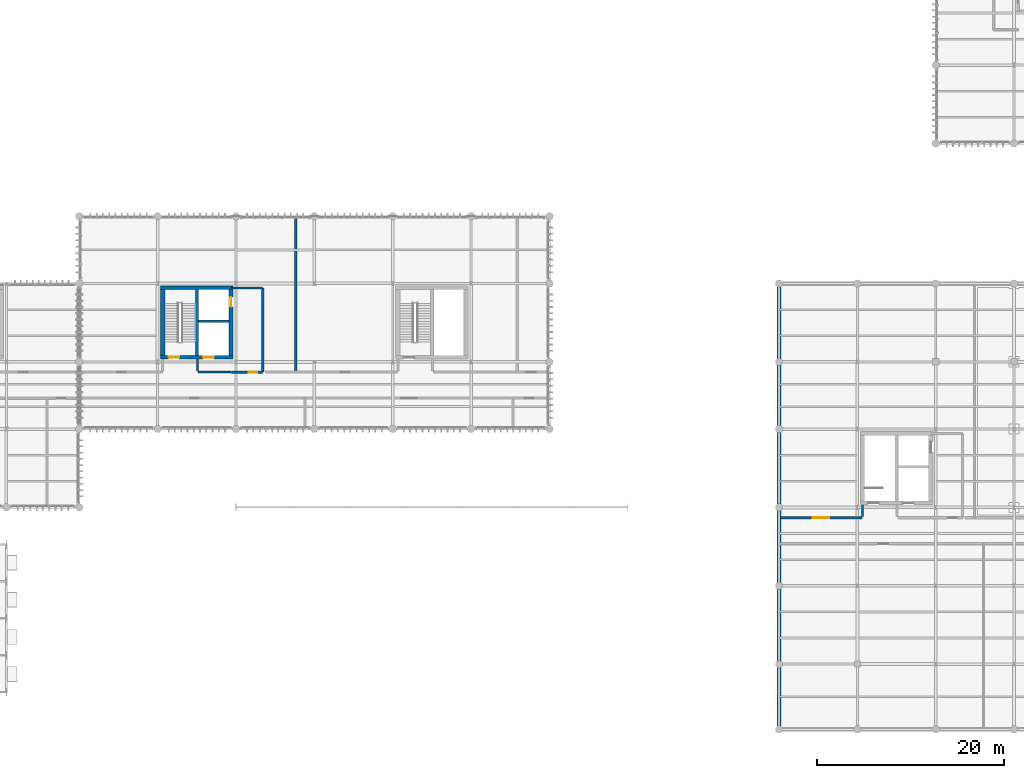
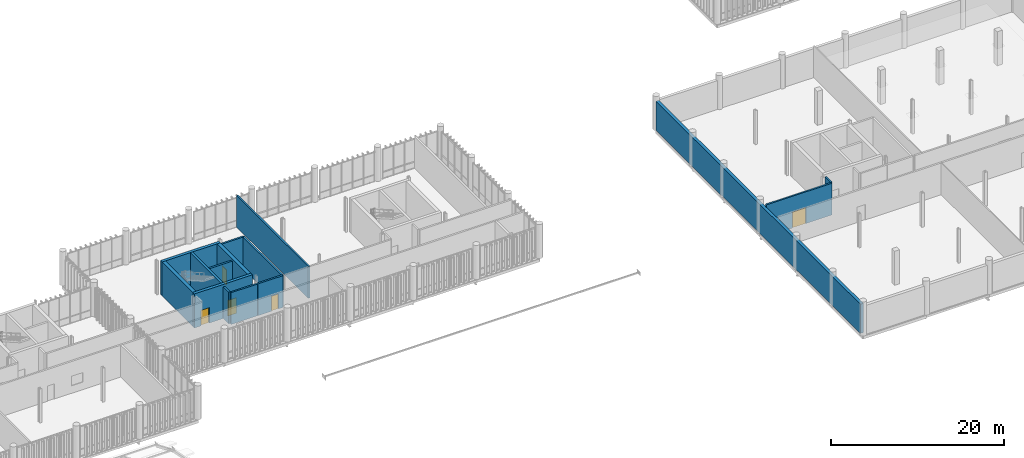
# One storey, part 79 of 94: 15 walls, 5 doors, 5 openings.
"""IFC4 building model written with IfcOpenShell, lengths in metres."""

from ifc_helpers import new_model, si_unit, direction, frame, frame_2d, origin_with_axes, place, context, subcontext, project, spatial, rectangle, extrude, material, layer, layer_set, type_object, element, fill, save


model = new_model("IFC4")

# Units and contexts
model_context = context("Model", 3, precision=1e-05, world=origin_with_axes(), true_north=direction((0.0, 1.0)))
body_context = subcontext(model_context, "Body", "Model", "MODEL_VIEW")
ifc_project = project(units=[si_unit("LENGTHUNIT", "METRE"), si_unit("AREAUNIT", "SQUARE_METRE"), si_unit("VOLUMEUNIT", "CUBIC_METRE"), si_unit("PLANEANGLEUNIT", "RADIAN"), si_unit("MASSUNIT", "GRAM", prefix="KILO"), si_unit("THERMODYNAMICTEMPERATUREUNIT", "KELVIN")], contexts=[model_context])

# Site, building, storey
site_placement = place(None, origin_with_axes())
site = spatial("IfcSite", under=ifc_project, at=site_placement, CompositionType="ELEMENT")
building_placement = place(site_placement, origin_with_axes())
building = spatial("IfcBuilding", under=site, at=building_placement, Name="Montbau Bow Law Courts", CompositionType="ELEMENT")
storey_placement = place(building_placement, frame((0.0, 0.0, 15.6), z_axis=(0.0, 0.0, 1.0), x_axis=(1.0, 0.0, 0.0)))
storey = spatial("IfcBuildingStorey", under=building, at=storey_placement, Name="L03", CompositionType="ELEMENT", Elevation=15.6)

# Wall, opening, door
ifc_material_1 = material(Name="Concrete CSA A23.1 f'c 45 MPa", Category="concrete")
ifc_layer_1 = layer(ifc_material_1, 0.45, Name="Shear Wall", Category="concrete")
ifc_layer_set_1 = layer_set([ifc_layer_1], Name="Concrete CSA A23.1 f'c 45 MPa")
wall_type_1 = type_object("IfcWallType", Name="W-COR-02", PredefinedType="SHEAR", material=ifc_layer_set_1)
wall_1_placement = place(None, frame((63.06, 46.87, 15.6), z_axis=(0.0, 0.0, 1.0), x_axis=(0.0, 1.0, 0.0)))
wall_1 = element("IfcWall", 1, at=wall_1_placement, inside=storey, type_object=wall_type_1, Name="WC-L03-0171:wal_0238", PredefinedType="SHEAR", context=body_context, shape_type="SweptSolid", body=[
    extrude(rectangle(XDim=7.060000000000002, YDim=0.45, at=frame_2d((3.53, 0.0), x_axis=(1.0, 0.0))), origin_with_axes(), (0.0, 0.0, 1.0), 4.8),
])
opening_1_placement = place(None, frame((63.06, 52.61, 15.6), z_axis=(0.0, 0.0, 1.0), x_axis=(0.0, 1.0, 0.0)))
opening_1 = element("IfcOpeningElement", 2, at=opening_1_placement, cuts=wall_1, Name="OP-LD-L03-EL-J3", PredefinedType="OPENING", context=body_context, shape_type="SweptSolid", body=[
    extrude(rectangle(XDim=1.06, YDim=2.16, at=frame_2d((0.0, 1.08), x_axis=(1.0, 0.0))), frame((0.0, 0.235, 0.0), z_axis=(0.0, -1.0, 0.0), x_axis=(1.0, 0.0, 0.0)), (0.0, 0.0, 1.0), 0.47),
])
ifc_material_2 = material(Name="Bronze-Clad Judicial Elevator Landing Door", Category="steel")
door_type_1 = type_object("IfcDoorType", Name="LD-JUD-01", OperationType="NOTDEFINED", ParameterTakesPrecedence=False, PredefinedType="DOOR", material=ifc_material_2)
door_1_placement = place(None, frame((63.06, 52.61, 15.6), z_axis=(0.0, 0.0, 1.0), x_axis=(0.0, 1.0, 0.0)))
door_1 = element("IfcDoor", 3, at=door_1_placement, inside=storey, type_object=door_type_1, Name="LD-L03-EL-J3:dor_0107", OperationType="SLIDING_TO_LEFT", OverallHeight=2.16, OverallWidth=1.06, PredefinedType="DOOR", context=body_context, shape_type="SweptSolid", body=[
    extrude(rectangle(XDim=1.06, YDim=2.16, at=frame_2d((0.0, 1.08), x_axis=(1.0, 0.0))), frame((0.0, 0.04, 0.0), z_axis=(0.0, -1.0, 0.0), x_axis=(1.0, 0.0, 0.0)), (0.0, 0.0, 1.0), 0.08),
])
fill(opening_1, door_1)

# Wall
wall_2_placement = place(None, frame((55.74, 53.93, 15.6), z_axis=(0.0, 0.0, 1.0), x_axis=(0.0, -1.0, 0.0)))
element("IfcWall", 4, at=wall_2_placement, inside=storey, type_object=wall_type_1, Name="WC-L03-0172:wal_0239", PredefinedType="SHEAR", context=body_context, shape_type="SweptSolid", body=[
    extrude(rectangle(XDim=7.060000000000002, YDim=0.45, at=frame_2d((3.53, 0.0), x_axis=(1.0, 0.0))), origin_with_axes(), (0.0, 0.0, 1.0), 4.8),
])

# Wall, openings, doors
ifc_layer_2 = layer(ifc_material_1, 0.38, Name="Shear Wall", Category="concrete")
ifc_layer_set_2 = layer_set([ifc_layer_2], Name="Concrete CSA A23.1 f'c 45 MPa")
wall_type_2 = type_object("IfcWallType", Name="W-COR-04", PredefinedType="SHEAR", material=ifc_layer_set_2)
wall_3_placement = place(None, frame((55.515, 46.68, 15.6), z_axis=(0.0, 0.0, 1.0), x_axis=(1.0, 0.0, 0.0)))
wall_3 = element("IfcWall", 5, at=wall_3_placement, inside=storey, type_object=wall_type_2, Name="WC-L03-0169:wal_0236", PredefinedType="SHEAR", context=body_context, shape_type="SweptSolid", body=[
    extrude(rectangle(XDim=7.769999999999996, YDim=0.38, at=frame_2d((3.885, 0.0), x_axis=(1.0, 0.0))), origin_with_axes(), (0.0, 0.0, 1.0), 4.8),
])
opening_2_placement = place(None, frame((56.935, 46.68, 15.6), z_axis=(0.0, 0.0, 1.0), x_axis=(1.0, 0.0, 0.0)))
opening_2 = element("IfcOpeningElement", 6, at=opening_2_placement, cuts=wall_3, Name="OP-D-L03-ST-P4", PredefinedType="OPENING", context=body_context, shape_type="SweptSolid", body=[
    extrude(rectangle(XDim=1.14, YDim=2.18, at=frame_2d((0.0, 1.09), x_axis=(1.0, 0.0))), frame((0.0, 0.2, 0.0), z_axis=(0.0, -1.0, 0.0), x_axis=(1.0, 0.0, 0.0)), (0.0, 0.0, 1.0), 0.4),
])
opening_3_placement = place(None, frame((60.65, 46.68, 15.6), z_axis=(0.0, 0.0, 1.0), x_axis=(1.0, 0.0, 0.0)))
opening_3 = element("IfcOpeningElement", 7, at=opening_3_placement, cuts=wall_3, Name="OP-LD-L03-EL-P3", PredefinedType="OPENING", context=body_context, shape_type="SweptSolid", body=[
    extrude(rectangle(XDim=1.16, YDim=2.2, at=frame_2d((0.0, 1.1), x_axis=(1.0, 0.0))), frame((0.0, 0.2, 0.0), z_axis=(0.0, -1.0, 0.0), x_axis=(1.0, 0.0, 0.0)), (0.0, 0.0, 1.0), 0.4),
])
ifc_material_3 = material(Name="1.5 h Fire-Rated Hollow-Metal Exit Stair Door", Category="steel")
door_type_2 = type_object("IfcDoorType", Name="D-ST-01", OperationType="NOTDEFINED", ParameterTakesPrecedence=False, PredefinedType="DOOR", material=ifc_material_3)
door_2_placement = place(None, frame((56.935, 46.68, 15.6), z_axis=(0.0, 0.0, 1.0), x_axis=(-1.0, 0.0, 0.0)))
door_2 = element("IfcDoor", 8, at=door_2_placement, inside=storey, type_object=door_type_2, Name="D-L03-ST-P4:dor_0105", OperationType="SINGLE_SWING_RIGHT", OverallHeight=2.18, OverallWidth=1.14, PredefinedType="DOOR", context=body_context, shape_type="SweptSolid", body=[
    extrude(rectangle(XDim=1.14, YDim=2.18, at=frame_2d((0.0, 1.09), x_axis=(1.0, 0.0))), frame((0.0, 0.04, 0.0), z_axis=(0.0, -1.0, 0.0), x_axis=(1.0, 0.0, 0.0)), (0.0, 0.0, 1.0), 0.08),
])
fill(opening_2, door_2)
ifc_material_4 = material(Name="Brushed Stainless Steel Elevator Landing Door", Category="steel")
door_type_3 = type_object("IfcDoorType", Name="LD-PUB-01", OperationType="NOTDEFINED", ParameterTakesPrecedence=False, PredefinedType="DOOR", material=ifc_material_4)
door_3_placement = place(None, frame((60.65, 46.68, 15.6), z_axis=(0.0, 0.0, 1.0), x_axis=(-1.0, 0.0, 0.0)))
door_3 = element("IfcDoor", 9, at=door_3_placement, inside=storey, type_object=door_type_3, Name="LD-L03-EL-P3:dor_0106", OperationType="SLIDING_TO_LEFT", OverallHeight=2.2, OverallWidth=1.16, PredefinedType="DOOR", context=body_context, shape_type="SweptSolid", body=[
    extrude(rectangle(XDim=1.16, YDim=2.2, at=frame_2d((0.0, 1.1), x_axis=(1.0, 0.0))), frame((0.0, 0.04, 0.0), z_axis=(0.0, -1.0, 0.0), x_axis=(1.0, 0.0, 0.0)), (0.0, 0.0, 1.0), 0.08),
])
fill(opening_3, door_3)

# Walls
wall_4_placement = place(None, frame((63.285, 54.12, 15.6), z_axis=(0.0, 0.0, 1.0), x_axis=(-1.0, 0.0, 0.0)))
element("IfcWall", 10, at=wall_4_placement, inside=storey, type_object=wall_type_2, Name="WC-L03-0170:wal_0237", PredefinedType="SHEAR", context=body_context, shape_type="SweptSolid", body=[
    extrude(rectangle(XDim=7.769999999999996, YDim=0.38, at=frame_2d((3.885, 0.0), x_axis=(1.0, 0.0))), origin_with_axes(), (0.0, 0.0, 1.0), 4.8),
])
ifc_layer_3 = layer(ifc_material_1, 0.32, Name="Shear Wall", Category="concrete")
ifc_layer_set_3 = layer_set([ifc_layer_3], Name="Concrete CSA A23.1 f'c 45 MPa")
wall_type_3 = type_object("IfcWallType", Name="W-COR-05", PredefinedType="SHEAR", material=ifc_layer_set_3)
wall_5_placement = place(None, frame((59.42, 46.87, 15.6), z_axis=(0.0, 0.0, 1.0), x_axis=(0.0, 1.0, 0.0)))
element("IfcWall", 11, at=wall_5_placement, inside=storey, type_object=wall_type_3, Name="WS-L03-0173:wal_0240", PredefinedType="SHEAR", context=body_context, shape_type="SweptSolid", body=[
    extrude(rectangle(XDim=7.060000000000002, YDim=0.32, at=frame_2d((3.53, 0.0), x_axis=(1.0, 0.0))), origin_with_axes(), (0.0, 0.0, 1.0), 4.8),
])
ifc_material_5 = material(Name="Polychrome Glazed Ceramic Rainscreen Insulated Wall", Category="masonry")
ifc_layer_4 = layer(ifc_material_5, 0.4, Name="Solid Wall", Category="masonry")
ifc_layer_set_4 = layer_set([ifc_layer_4], Name="Polychrome Glazed Ceramic Rainscreen Insulated Wall")
wall_type_4 = type_object("IfcWallType", Name="W-EXT-04", PredefinedType="SOLIDWALL", material=ifc_layer_set_4)
wall_6_placement = place(None, frame((121.8, 54.34, 15.6), z_axis=(0.0, 0.0, 1.0), x_axis=(0.0, -1.0, 0.0)))
element("IfcWall", 12, at=wall_6_placement, inside=storey, type_object=wall_type_4, Name="WE-L03-027:wal_0044", PredefinedType="SOLIDWALL", context=body_context, shape_type="SweptSolid", body=[
    extrude(rectangle(XDim=47.28, YDim=0.4, at=frame_2d((23.64, 0.0), x_axis=(1.0, 0.0))), origin_with_axes(), (0.0, 0.0, 1.0), 4.114),
])
ifc_material_6 = material(Name="2 h Shaft and Exit-Passage Fire Separation Partition", Category="gypsum")
ifc_layer_5 = layer(ifc_material_6, 0.25, Name="Partition", Category="gypsum")
ifc_layer_set_5 = layer_set([ifc_layer_5], Name="2 h Shaft and Exit-Passage Fire Separation Partition")
wall_type_5 = type_object("IfcWallType", Name="W-PRT-01", PredefinedType="PARTITIONING", material=ifc_layer_set_5)
wall_7_placement = place(None, frame((59.58, 50.549, 15.6), z_axis=(0.0, 0.0, 1.0), x_axis=(1.0, 0.0, 0.0)))
element("IfcWall", 13, at=wall_7_placement, inside=storey, type_object=wall_type_5, Name="WS-L03-0174:wal_0241", PredefinedType="PARTITIONING", context=body_context, shape_type="SweptSolid", body=[
    extrude(rectangle(XDim=3.2550000000000026, YDim=0.25, at=frame_2d((1.6275, 0.0), x_axis=(1.0, 0.0))), origin_with_axes(), (0.0, 0.0, 1.0), 4.48),
])
wall_8_placement = place(None, frame((66.46, 45.09, 15.6), z_axis=(0.0, 0.0, 1.0), x_axis=(0.0, 1.0, 0.0)))
element("IfcWall", 14, at=wall_8_placement, inside=storey, type_object=wall_type_5, Name="WEL-L03-0175:wal_0242", PredefinedType="PARTITIONING", context=body_context, shape_type="SweptSolid", body=[
    extrude(rectangle(XDim=9.029999999999994, YDim=0.25, at=frame_2d((4.515, 0.0), x_axis=(1.0, 0.0))), origin_with_axes(), (0.0, 0.0, 1.0), 4.48),
])
wall_9_placement = place(None, frame((63.1, 54.12, 15.6), z_axis=(0.0, 0.0, 1.0), x_axis=(1.0, 0.0, 0.0)))
element("IfcWall", 15, at=wall_9_placement, inside=storey, type_object=wall_type_5, Name="WEL-L03-0176:wal_0243", PredefinedType="PARTITIONING", context=body_context, shape_type="SweptSolid", body=[
    extrude(rectangle(XDim=3.3599999999999923, YDim=0.25, at=frame_2d((1.68, 0.0), x_axis=(1.0, 0.0))), origin_with_axes(), (0.0, 0.0, 1.0), 4.48),
])

# Wall, opening, door
wall_10_placement = place(None, frame((63.1, 45.09, 15.6), z_axis=(0.0, 0.0, 1.0), x_axis=(1.0, 0.0, 0.0)))
wall_10 = element("IfcWall", 16, at=wall_10_placement, inside=storey, type_object=wall_type_5, Name="WEL-L03-0177:wal_0244", PredefinedType="PARTITIONING", context=body_context, shape_type="SweptSolid", body=[
    extrude(rectangle(XDim=3.3599999999999923, YDim=0.25, at=frame_2d((1.68, 0.0), x_axis=(1.0, 0.0))), origin_with_axes(), (0.0, 0.0, 1.0), 4.48),
])
opening_4_placement = place(None, frame((65.405, 45.09, 15.6), z_axis=(0.0, 0.0, 1.0), x_axis=(1.0, 0.0, 0.0)))
opening_4 = element("IfcOpeningElement", 17, at=opening_4_placement, cuts=wall_10, Name="OP-D-L03-ELB-CORE-C1", PredefinedType="OPENING", context=body_context, shape_type="SweptSolid", body=[
    extrude(rectangle(XDim=0.91, YDim=2.12, at=frame_2d((0.0, 1.06), x_axis=(1.0, 0.0))), frame((0.0, 0.135, 0.0), z_axis=(0.0, -1.0, 0.0), x_axis=(1.0, 0.0, 0.0)), (0.0, 0.0, 1.0), 0.27),
])
ifc_material_7 = material(Name="Public and Judicial Washroom Solid-Core Door", Category="wood")
door_type_4 = type_object("IfcDoorType", Name="D-WC-02", OperationType="NOTDEFINED", ParameterTakesPrecedence=False, PredefinedType="DOOR", material=ifc_material_7)
door_4_placement = place(None, frame((65.405, 45.09, 15.6), z_axis=(0.0, 0.0, 1.0), x_axis=(1.0, 0.0, 0.0)))
door_4 = element("IfcDoor", 18, at=door_4_placement, inside=storey, type_object=door_type_4, Name="D-L03-ELB-CORE-C1:dor_0108", OperationType="SINGLE_SWING_LEFT", OverallHeight=2.12, OverallWidth=0.91, PredefinedType="DOOR", context=body_context, shape_type="SweptSolid", body=[
    extrude(rectangle(XDim=0.91, YDim=2.12, at=frame_2d((0.0, 1.06), x_axis=(1.0, 0.0))), frame((0.0, 0.04, 0.0), z_axis=(0.0, -1.0, 0.0), x_axis=(1.0, 0.0, 0.0)), (0.0, 0.0, 1.0), 0.08),
])
fill(opening_4, door_4)

# Walls
ifc_material_8 = material(Name="STC-60 High-Acoustic Courtroom Perimeter Partition", Category="gypsum")
ifc_layer_6 = layer(ifc_material_8, 0.22, Name="Partition", Category="gypsum")
ifc_layer_set_6 = layer_set([ifc_layer_6], Name="STC-60 High-Acoustic Courtroom Perimeter Partition")
wall_type_6 = type_object("IfcWallType", Name="W-PRT-02", PredefinedType="PARTITIONING", material=ifc_layer_set_6)
wall_11_placement = place(None, frame((59.45, 45.22, 15.6), z_axis=(0.0, 0.0, 1.0), x_axis=(0.0, 1.0, 0.0)))
element("IfcWall", 19, at=wall_11_placement, inside=storey, type_object=wall_type_6, Name="WCX-L03-0786:wal_0853", PredefinedType="PARTITIONING", context=body_context, shape_type="SweptSolid", body=[
    extrude(rectangle(XDim=1.259999999999998, YDim=0.22, at=frame_2d((0.63, 0.0), x_axis=(1.0, 0.0))), origin_with_axes(), (0.0, 0.0, 1.0), 4.48),
])
wall_12_placement = place(None, frame((59.55, 45.09, 15.6), z_axis=(0.0, 0.0, 1.0), x_axis=(1.0, 0.0, 0.0)))
element("IfcWall", 20, at=wall_12_placement, inside=storey, type_object=wall_type_6, Name="WP-L03-0790:wal_0857", PredefinedType="PARTITIONING", context=body_context, shape_type="SweptSolid", body=[
    extrude(rectangle(XDim=3.510000000000005, YDim=0.22, at=frame_2d((1.755, 0.0), x_axis=(1.0, 0.0))), origin_with_axes(), (0.0, 0.0, 1.0), 4.48),
])
wall_13_placement = place(None, frame((70.002, 45.09, 15.6), z_axis=(0.0, 0.0, 1.0), x_axis=(0.0, 1.0, 0.0)))
element("IfcWall", 21, at=wall_13_placement, inside=storey, type_object=wall_type_6, Name="WD-L03-0796:wal_0863", PredefinedType="PARTITIONING", context=body_context, shape_type="SweptSolid", body=[
    extrude(rectangle(XDim=16.569999999999993, YDim=0.22, at=frame_2d((8.285, 0.0), x_axis=(1.0, 0.0))), origin_with_axes(), (0.0, 0.0, 1.0), 4.48),
])
wall_14_placement = place(None, frame((130.74, 29.62, 15.6), z_axis=(0.0, 0.0, 1.0), x_axis=(0.0, 1.0, 0.0)))
element("IfcWall", 22, at=wall_14_placement, inside=storey, type_object=wall_type_6, Name="WCX-L03-0804:wal_0871", PredefinedType="PARTITIONING", context=body_context, shape_type="SweptSolid", body=[
    extrude(rectangle(XDim=1.259999999999998, YDim=0.22, at=frame_2d((0.63, 0.0), x_axis=(1.0, 0.0))), origin_with_axes(), (0.0, 0.0, 1.0), 4.48),
])

# Wall, opening, door
wall_15_placement = place(None, frame((121.94, 29.49, 15.6), z_axis=(0.0, 0.0, 1.0), x_axis=(1.0, 0.0, 0.0)))
wall_15 = element("IfcWall", 23, at=wall_15_placement, inside=storey, type_object=wall_type_6, Name="WP-L03-0806:wal_0873", PredefinedType="PARTITIONING", context=body_context, shape_type="SweptSolid", body=[
    extrude(rectangle(XDim=8.759999999999991, YDim=0.22, at=frame_2d((4.38, 0.0), x_axis=(1.0, 0.0))), origin_with_axes(), (0.0, 0.0, 1.0), 4.48),
])
opening_5_placement = place(None, frame((126.32, 29.49, 15.6), z_axis=(0.0, 0.0, 1.0), x_axis=(1.0, 0.0, 0.0)))
opening_5 = element("IfcOpeningElement", 24, at=opening_5_placement, cuts=wall_15, Name="OP-D-L03-336", PredefinedType="OPENING", context=body_context, shape_type="SweptSolid", body=[
    extrude(rectangle(XDim=1.76, YDim=2.26, at=frame_2d((0.0, 1.13), x_axis=(1.0, 0.0))), frame((0.0, 0.12, 0.0), z_axis=(0.0, -1.0, 0.0), x_axis=(1.0, 0.0, 0.0)), (0.0, 0.0, 1.0), 0.24),
])
ifc_material_9 = material(Name="Detention-Grade Steel Sally-Port Transfer Gate", Category="steel")
door_type_5 = type_object("IfcDoorType", Name="D-GAT-03", OperationType="NOTDEFINED", ParameterTakesPrecedence=False, PredefinedType="GATE", material=ifc_material_9)
door_5_placement = place(None, frame((126.32, 29.49, 15.6), z_axis=(0.0, 0.0, 1.0), x_axis=(-1.0, 0.0, 0.0)))
door_5 = element("IfcDoor", 25, at=door_5_placement, inside=storey, type_object=door_type_5, Name="D-L03-336:dor_0371", OperationType="DOUBLE_DOOR_SINGLE_SWING", OverallHeight=2.26, OverallWidth=1.76, PredefinedType="GATE", context=body_context, shape_type="SweptSolid", body=[
    extrude(rectangle(XDim=1.76, YDim=2.26, at=frame_2d((0.0, 1.13), x_axis=(1.0, 0.0))), frame((0.0, 0.04, 0.0), z_axis=(0.0, -1.0, 0.0), x_axis=(1.0, 0.0, 0.0)), (0.0, 0.0, 1.0), 0.08),
])
fill(opening_5, door_5)

save(model, "model.ifc")
